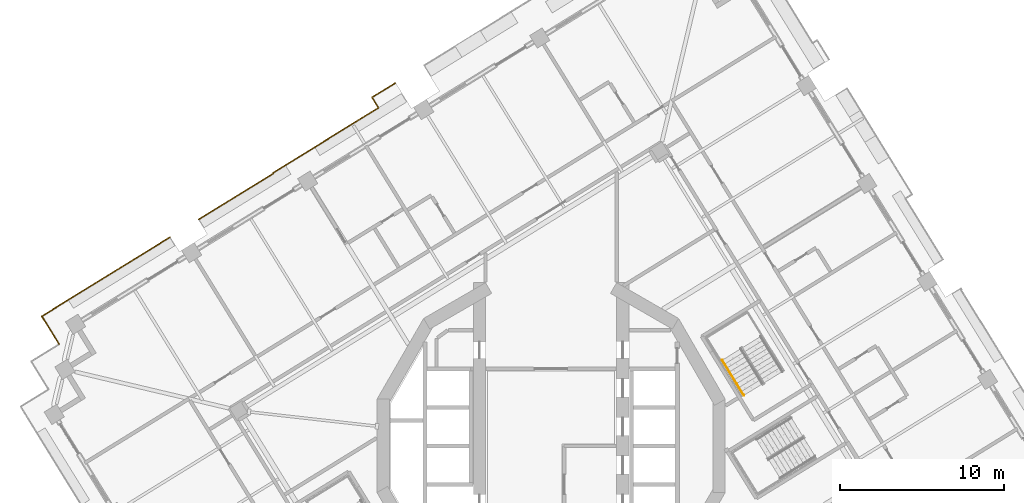
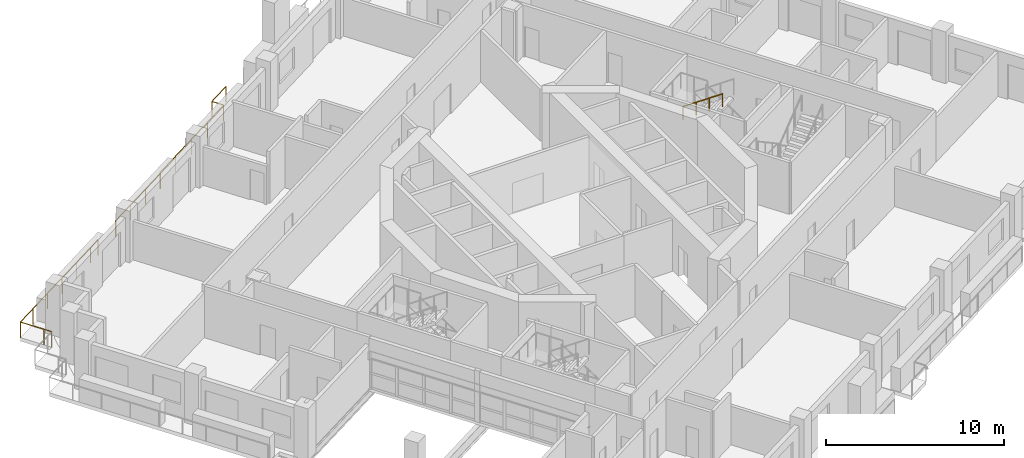
# One storey, part 19 of 22: 3 railings.
"""IFC4 building model written with IfcOpenShell, lengths in metres."""

from ifc_helpers import new_model, si_unit, direction, frame, origin, origin_2d, place, context, subcontext, project, spatial, circle, extrude, material, type_object, element, save


model = new_model("IFC4")

# Units and contexts
model_context = context("Model", 3, precision=1e-05, world=origin(), true_north=direction((0.0, 1.0)))
body_context = subcontext(model_context, "Body", "Model", "MODEL_VIEW")
ifc_project = project(units=[si_unit("LENGTHUNIT", "METRE"), si_unit("AREAUNIT", "SQUARE_METRE"), si_unit("VOLUMEUNIT", "CUBIC_METRE"), si_unit("PLANEANGLEUNIT", "RADIAN"), si_unit("MASSUNIT", "GRAM", prefix="KILO")], contexts=[model_context])

# Site, building, storey
site_placement = place(None, origin())
site = spatial("IfcSite", under=ifc_project, at=site_placement, CompositionType="ELEMENT")
building_placement = place(site_placement, origin())
building = spatial("IfcBuilding", under=site, at=building_placement, Name="Cantera Rosa Tower", CompositionType="ELEMENT")
storey_placement = place(building_placement, frame((0.0, 0.0, 162.800048828125)))
storey = spatial("IfcBuildingStorey", under=building, at=storey_placement, Name="L35", CompositionType="ELEMENT", Elevation=162.800048828125)

# Railings
ifc_material_1 = material(Name="Stainless steel and laminated glass", Category="steel")
railing_type_1 = type_object("IfcRailingType", Name="GUARD 1100", PredefinedType="BALUSTRADE", material=ifc_material_1)
railing_1_placement = place(storey_placement, frame((-30.03076171875, 6.208984375, 0.0)))
element("IfcRailing", 1, at=railing_1_placement, inside=storey, type_object=railing_type_1, Name="GUARD L35-3", PredefinedType="BALUSTRADE", context=body_context, shape_type="SweptSolid", body=[
    extrude(circle(Radius=0.030029296875, at=origin_2d()), frame((0.0, 0.0, 1.070068359375), z_axis=(-0.52494176933, 0.851138143202, 0.0), x_axis=(-0.851138143202, -0.52494176933, 0.0)), (0.0, 0.0, 1.0), 0.5),
    extrude(circle(Radius=0.030029296875, at=origin_2d()), frame((-0.262451171875, 0.425537109375, 1.070068359375), z_axis=(-0.524869051004, 0.85118298814, 0.0), x_axis=(-0.85118298814, -0.524869051004, 0.0)), (0.0, 0.0, 1.0), 1.5),
    extrude(circle(Radius=0.030029296875, at=origin_2d()), frame((-1.0498046875, 1.702392578125, 1.070068359375), z_axis=(0.851138143202, 0.52494176933, 0.0), x_axis=(-0.52494176933, 0.851138143202, 0.0)), (0.0, 0.0, 1.0), 1.5),
    extrude(circle(Radius=0.030029296875, at=origin_2d()), frame((0.226806640625, 2.48974609375, 1.070068359375), z_axis=(0.851120753703, 0.524969963537, 0.0), x_axis=(-0.524969963537, 0.851120753703, 0.0)), (0.0, 0.0, 1.0), 6.820068359375),
    extrude(circle(Radius=0.030029296875, at=origin_2d()), frame((6.031494140625, 6.070068359375, 1.070068359375), z_axis=(0.851089370259, 0.525020841331, 0.0), x_axis=(-0.525020841331, 0.851089370259, 0.0)), (0.0, 0.0, 1.0), 0.8701171875),
    extrude(circle(Radius=0.02490234375, at=origin_2d()), origin(), (0.0, 0.0, 1.0), 1.0400390625),
    extrude(circle(Radius=0.02490234375, at=origin_2d()), frame((-0.262451171875, 0.425537109375, 0.0)), (0.0, 0.0, 1.0), 1.0400390625),
    extrude(circle(Radius=0.02490234375, at=origin_2d()), frame((-1.0498046875, 1.702392578125, 0.0)), (0.0, 0.0, 1.0), 1.0400390625),
    extrude(circle(Radius=0.02490234375, at=origin_2d()), frame((0.226806640625, 2.48974609375, 0.0)), (0.0, 0.0, 1.0), 1.0400390625),
    extrude(circle(Radius=0.02490234375, at=origin_2d()), frame((1.677978515625, 3.384765625, 0.0)), (0.0, 0.0, 1.0), 1.0400390625),
    extrude(circle(Radius=0.02490234375, at=origin_2d()), frame((3.129150390625, 4.27978515625, 0.0)), (0.0, 0.0, 1.0), 1.0400390625),
    extrude(circle(Radius=0.02490234375, at=origin_2d()), frame((4.580322265625, 5.175048828125, 0.0)), (0.0, 0.0, 1.0), 1.0400390625),
    extrude(circle(Radius=0.02490234375, at=origin_2d()), frame((6.031494140625, 6.070068359375, 0.0)), (0.0, 0.0, 1.0), 1.0400390625),
    extrude(circle(Radius=0.02490234375, at=origin_2d()), frame((6.77197265625, 6.52685546875, 0.0)), (0.0, 0.0, 1.0), 1.0400390625),
])
railing_2_placement = place(storey_placement, frame((-21.505615234375, 13.817138671875, 0.0)))
element("IfcRailing", 2, at=railing_2_placement, inside=storey, type_object=railing_type_1, Name="GUARD L35-5", PredefinedType="BALUSTRADE", context=body_context, shape_type="SweptSolid", body=[
    extrude(circle(Radius=0.030029296875, at=origin_2d()), frame((0.0, 0.0, 1.070068359375), z_axis=(0.850339408664, 0.52623463405, 0.0), x_axis=(-0.52623463405, 0.850339408664, 0.0)), (0.0, 0.0, 1.0), 0.070068359375),
    extrude(circle(Radius=0.030029296875, at=origin_2d()), frame((0.0595703125, 0.036865234375, 1.070068359375), z_axis=(0.851116462586, 0.524976920555, 0.0), x_axis=(-0.524976920555, 0.851116462586, 0.0)), (0.0, 0.0, 1.0), 5.27978515625),
    extrude(circle(Radius=0.030029296875, at=origin_2d()), frame((4.55322265625, 2.80859375, 1.070068359375), z_axis=(-0.527815847616, 0.849358835243, 0.0), x_axis=(-0.849358835243, -0.527815847616, 0.0)), (0.0, 0.0, 1.0), 0.040283203125),
    extrude(circle(Radius=0.030029296875, at=origin_2d()), frame((4.531982421875, 2.8427734375, 1.070068359375), z_axis=(0.851125237565, 0.524962693893, 0.0), x_axis=(-0.524962693893, 0.851125237565, 0.0)), (0.0, 0.0, 1.0), 7.56982421875),
    extrude(circle(Radius=0.030029296875, at=origin_2d()), frame((10.974853515625, 6.816650390625, 1.070068359375), z_axis=(-0.525077247335, 0.851054571888, 0.0), x_axis=(-0.851054571888, -0.525077247335, 0.0)), (0.0, 0.0, 1.0), 0.75048828125),
    extrude(circle(Radius=0.030029296875, at=origin_2d()), frame((10.580810546875, 7.455322265625, 1.070068359375), z_axis=(0.851097514254, 0.525007639212, 0.0), x_axis=(-0.525007639212, 0.851097514254, 0.0)), (0.0, 0.0, 1.0), 1.66064453125),
    extrude(circle(Radius=0.02490234375, at=origin_2d()), origin(), (0.0, 0.0, 1.0), 1.0400390625),
    extrude(circle(Radius=0.02490234375, at=origin_2d()), frame((0.0595703125, 0.036865234375, 0.0)), (0.0, 0.0, 1.0), 1.0400390625),
    extrude(circle(Radius=0.02490234375, at=origin_2d()), frame((1.557373046875, 0.960693359375, 0.0)), (0.0, 0.0, 1.0), 1.0400390625),
    extrude(circle(Radius=0.02490234375, at=origin_2d()), frame((3.055419921875, 1.884765625, 0.0)), (0.0, 0.0, 1.0), 1.0400390625),
    extrude(circle(Radius=0.02490234375, at=origin_2d()), frame((4.55322265625, 2.80859375, 0.0)), (0.0, 0.0, 1.0), 1.0400390625),
    extrude(circle(Radius=0.02490234375, at=origin_2d()), frame((4.531982421875, 2.8427734375, 0.0)), (0.0, 0.0, 1.0), 1.0400390625),
    extrude(circle(Radius=0.02490234375, at=origin_2d()), frame((6.142578125, 3.836181640625, 0.0)), (0.0, 0.0, 1.0), 1.0400390625),
    extrude(circle(Radius=0.02490234375, at=origin_2d()), frame((7.75341796875, 4.82958984375, 0.0)), (0.0, 0.0, 1.0), 1.0400390625),
    extrude(circle(Radius=0.02490234375, at=origin_2d()), frame((9.3642578125, 5.8232421875, 0.0)), (0.0, 0.0, 1.0), 1.0400390625),
    extrude(circle(Radius=0.02490234375, at=origin_2d()), frame((10.974853515625, 6.816650390625, 0.0)), (0.0, 0.0, 1.0), 1.0400390625),
    extrude(circle(Radius=0.02490234375, at=origin_2d()), frame((10.580810546875, 7.455322265625, 0.0)), (0.0, 0.0, 1.0), 1.0400390625),
    extrude(circle(Radius=0.02490234375, at=origin_2d()), frame((11.994140625, 8.3271484375, 0.0)), (0.0, 0.0, 1.0), 1.0400390625),
])
ifc_material_2 = material(Name="Steel S355J2 (EN 10025-2)", Category="steel")
railing_type_2 = type_object("IfcRailingType", Name="STAIR HANDRAIL 900", PredefinedType="HANDRAIL", material=ifc_material_2)
railing_3_placement = place(storey_placement, frame((10.441650390625, 5.2314453125, 2.08984375)))
element("IfcRailing", 3, at=railing_3_placement, inside=storey, type_object=railing_type_2, Name="L35 ST-31 stair handrail 2", PredefinedType="HANDRAIL", context=body_context, shape_type="SweptSolid", body=[
    extrude(circle(Radius=0.02392578125, at=origin_2d()), frame((0.0, 0.0, 0.8759765625), z_axis=(0.434408057947, -0.704239673199, 0.561547969352), x_axis=(0.851102330005, 0.524999832248, 0.0)), (0.0, 0.0, 1.0), 3.04541015625),
    extrude(circle(Radius=0.02099609375, at=origin_2d()), origin(), (0.0, 0.0, 1.0), 0.851806640625),
    extrude(circle(Radius=0.02099609375, at=origin_2d()), frame((0.44091796875, -0.71484375, 0.570068359375)), (0.0, 0.0, 1.0), 0.851806640625),
    extrude(circle(Radius=0.02099609375, at=origin_2d()), frame((0.882080078125, -1.429931640625, 1.14013671875)), (0.0, 0.0, 1.0), 0.851806640625),
    extrude(circle(Radius=0.02099609375, at=origin_2d()), frame((1.322998046875, -2.144775390625, 1.710205078125)), (0.0, 0.0, 1.0), 0.851806640625),
])

save(model, "model.ifc")
